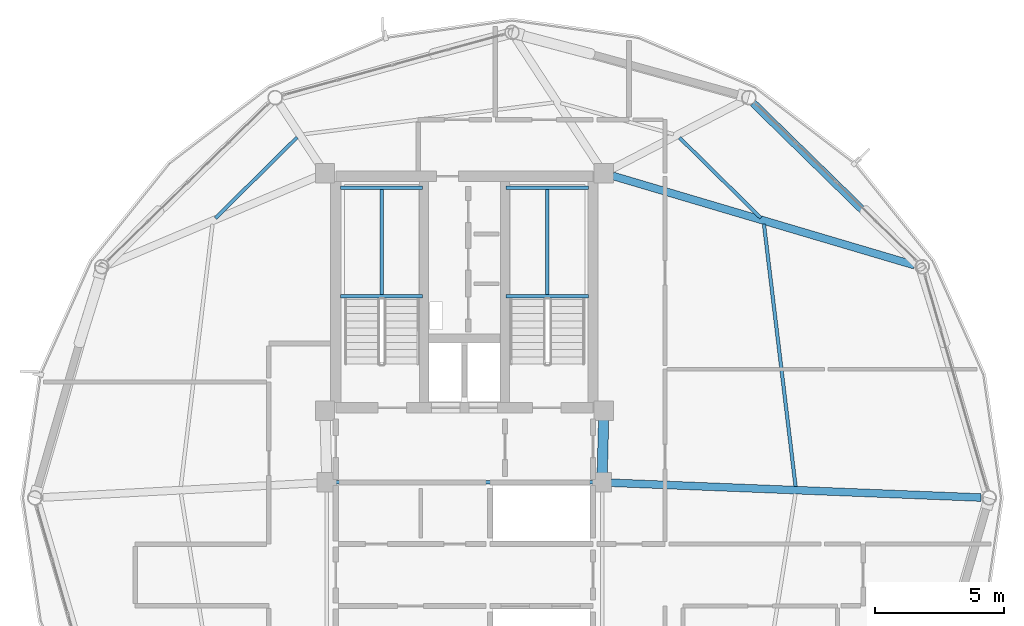
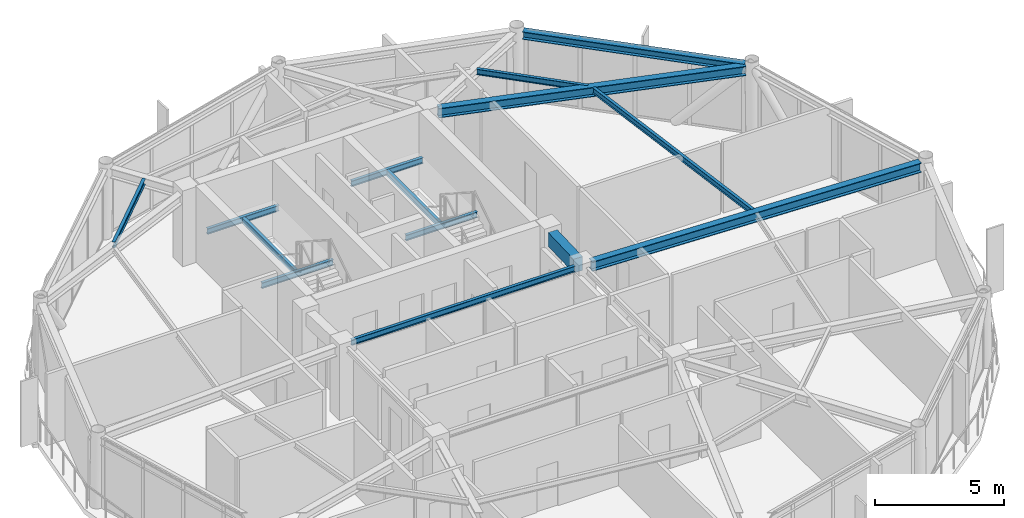
# One storey, part 14 of 27: 14 beams.
"""IFC4 building model written with IfcOpenShell, lengths in metres."""

from ifc_helpers import new_model, si_unit, direction, frame, origin, origin_2d, place, context, subcontext, project, spatial, rectangle, i_section, extrude, material, material_profile, profile_set, type_object, element, save


model = new_model("IFC4")

# Units and contexts
model_context = context("Model", 3, precision=1e-05, world=origin(), true_north=direction((0.0, 1.0)))
body_context = subcontext(model_context, "Body", "Model", "MODEL_VIEW")
ifc_project = project(units=[si_unit("LENGTHUNIT", "METRE"), si_unit("AREAUNIT", "SQUARE_METRE"), si_unit("VOLUMEUNIT", "CUBIC_METRE"), si_unit("PLANEANGLEUNIT", "RADIAN"), si_unit("MASSUNIT", "GRAM", prefix="KILO")], contexts=[model_context])

# Site, building, storey
site_placement = place(None, origin())
site = spatial("IfcSite", under=ifc_project, at=site_placement, CompositionType="ELEMENT")
building_placement = place(site_placement, origin())
building = spatial("IfcBuilding", under=site, at=building_placement, Name="Varnakorn Sky Granary", CompositionType="ELEMENT")
storey_placement = place(building_placement, frame((0.0, 0.0, 245.39990234375)))
storey = spatial("IfcBuildingStorey", under=building, at=storey_placement, Name="L62", CompositionType="ELEMENT", Elevation=245.39990234375)

# Beams
ifc_material_1 = material(Name="Concrete C50/60", Category="concrete")
ifc_material_profile_1 = material_profile(ifc_material_1, rectangle(XDim=0.39990234375, YDim=0.64990234375, at=origin_2d()), Name="RC 400x650")
ifc_profile_set_1 = profile_set([ifc_material_profile_1], Name="Concrete C50/60")
beam_type_1 = type_object("IfcBeamType", Name="BM-LIN-650", PredefinedType="LINTEL", material=ifc_profile_set_1)
beam_1_placement = place(storey_placement, frame((8.4111328125, 3.025146484375, 3.03515625), z_axis=(-0.025227817192, -0.999681727971, 0.0), x_axis=(0.999681727971, -0.025227817192, 0.0)))
element("IfcBeam", 1, at=beam_1_placement, inside=storey, type_object=beam_type_1, Name="Core Spine Framing Beam 2 L62", PredefinedType="LINTEL", context=body_context, shape_type="SweptSolid", body=[
    extrude(rectangle(XDim=0.39990234375, YDim=0.64990234375, at=origin_2d()), origin(), (0.0, 0.0, 1.0), 2.071044921875),
])
ifc_material_2 = material(Name="Steel S355JR", Category="steel")
ifc_material_profile_2 = material_profile(ifc_material_2, i_section(OverallWidth=0.135009765625, OverallDepth=0.27001953125, WebThickness=0.006591796875, FlangeThickness=0.01025390625, at=origin_2d()), Name="IPE 270")
ifc_profile_set_2 = profile_set([ifc_material_profile_2], Name="Steel S355JR")
beam_type_2 = type_object("IfcBeamType", Name="BM-LND-270", PredefinedType="BEAM", material=ifc_profile_set_2)
for number, where, z_axis, x_axis, name in (
    (2, (-1.820068359375, 7.840087890625, 1.465087890625), (1.0, 0.0, 0.0), (0.0, 1.0, 0.0), "Stair ST-1 Landing Trimmer Beam A L62-1"),
    (3, (-1.820068359375, 12.06005859375, 1.465087890625), (1.0, 0.0, 0.0), (0.0, 1.0, 0.0), "Stair ST-1 Landing Trimmer Beam B L62-1"),
):
    element("IfcBeam", number, at=place(storey_placement, frame(where, z_axis=z_axis, x_axis=x_axis)), inside=storey, type_object=beam_type_2, Name=name, PredefinedType="BEAM", context=body_context, shape_type="SweptSolid", body=[
        extrude(i_section(OverallWidth=0.135009765625, OverallDepth=0.27001953125, WebThickness=0.006591796875, FlangeThickness=0.01025390625, at=origin_2d()), origin(), (0.0, 0.0, 1.0), 3.199951171875),
    ])
beam_2_placement = place(storey_placement, frame((-0.219970703125, 7.840087890625, 1.465087890625), z_axis=(0.0, 1.0, 0.0), x_axis=(-1.0, 0.0, 0.0)))
element("IfcBeam", 4, at=beam_2_placement, inside=storey, type_object=beam_type_2, Name="Stair ST-1 Landing Cross Beam C L62-1", PredefinedType="BEAM", context=body_context, shape_type="SweptSolid", body=[
    extrude(i_section(OverallWidth=0.135009765625, OverallDepth=0.27001953125, WebThickness=0.006591796875, FlangeThickness=0.01025390625, at=origin_2d()), origin(), (0.0, 0.0, 1.0), 4.219970703125),
])
for number, where, z_axis, x_axis, name in (
    (5, (4.6201171875, 7.840087890625, 1.465087890625), (1.0, 0.0, 0.0), (0.0, 1.0, 0.0), "Stair ST-2 Landing Trimmer Beam A L62-1"),
    (6, (4.6201171875, 12.06005859375, 1.465087890625), (1.0, 0.0, 0.0), (0.0, 1.0, 0.0), "Stair ST-2 Landing Trimmer Beam B L62-1"),
):
    element("IfcBeam", number, at=place(storey_placement, frame(where, z_axis=z_axis, x_axis=x_axis)), inside=storey, type_object=beam_type_2, Name=name, PredefinedType="BEAM", context=body_context, shape_type="SweptSolid", body=[
        extrude(i_section(OverallWidth=0.135009765625, OverallDepth=0.27001953125, WebThickness=0.006591796875, FlangeThickness=0.01025390625, at=origin_2d()), origin(), (0.0, 0.0, 1.0), 3.199951171875),
    ])
beam_3_placement = place(storey_placement, frame((6.219970703125, 7.840087890625, 1.465087890625), z_axis=(0.0, 1.0, 0.0), x_axis=(-1.0, 0.0, 0.0)))
element("IfcBeam", 7, at=beam_3_placement, inside=storey, type_object=beam_type_2, Name="Stair ST-2 Landing Cross Beam C L62-1", PredefinedType="BEAM", context=body_context, shape_type="SweptSolid", body=[
    extrude(i_section(OverallWidth=0.135009765625, OverallDepth=0.27001953125, WebThickness=0.006591796875, FlangeThickness=0.01025390625, at=origin_2d()), origin(), (0.0, 0.0, 1.0), 4.219970703125),
])
ifc_material_profile_3 = material_profile(ifc_material_2, i_section(OverallWidth=0.300048828125, OverallDepth=0.449951171875, WebThickness=0.013916015625, FlangeThickness=0.02587890625, at=origin_2d()), Name="HE 450 B")
ifc_profile_set_3 = profile_set([ifc_material_profile_3], Name="Steel S355JR")
beam_type_3 = type_object("IfcBeamType", Name="BM-RAD-Z5", PredefinedType="BEAM", material=ifc_profile_set_3)
beam_4_placement = place(storey_placement, frame((8.70458984375, 0.585693359375, 3.135009765625), z_axis=(0.999200552072, -0.039978203289, 0.0), x_axis=(0.039978203289, 0.999200552072, 0.0)))
element("IfcBeam", 8, at=beam_4_placement, inside=storey, type_object=beam_type_3, Name="Radial Floor Girder RG01 L62", PredefinedType="BEAM", context=body_context, shape_type="SweptSolid", body=[
    extrude(i_section(OverallWidth=0.300048828125, OverallDepth=0.449951171875, WebThickness=0.013916015625, FlangeThickness=0.02587890625, at=origin_2d()), origin(), (0.0, 0.0, 1.0), 14.3876953125),
])
beam_5_placement = place(storey_placement, frame((8.760498046875, 12.519287109375, 3.135009765625), z_axis=(0.958848404118, -0.283918540996, 0.0), x_axis=(0.283918540996, 0.958848404118, 0.0)))
element("IfcBeam", 9, at=beam_5_placement, inside=storey, type_object=beam_type_3, Name="Radial Floor Girder RG02 L62", PredefinedType="BEAM", context=body_context, shape_type="SweptSolid", body=[
    extrude(i_section(OverallWidth=0.300048828125, OverallDepth=0.449951171875, WebThickness=0.013916015625, FlangeThickness=0.02587890625, at=origin_2d()), origin(), (0.0, 0.0, 1.0), 12.23974609375),
])
ifc_material_profile_4 = material_profile(ifc_material_2, i_section(OverallWidth=0.135009765625, OverallDepth=0.27001953125, WebThickness=0.006591796875, FlangeThickness=0.01025390625, at=origin_2d()), Name="IPE 270")
ifc_profile_set_4 = profile_set([ifc_material_profile_4], Name="Steel S355JR")
beam_type_4 = type_object("IfcBeamType", Name="BM-SEC-Z5", PredefinedType="BEAM", material=ifc_profile_set_4)
beam_6_placement = place(storey_placement, frame((15.8759765625, 0.437255859375, 3.22509765625), z_axis=(-0.119727731312, 0.992806763854, 0.0), x_axis=(-0.992806763854, -0.119727731312, 0.0)))
element("IfcBeam", 10, at=beam_6_placement, inside=storey, type_object=beam_type_4, Name="Secondary Floor Chord Beam MSB01 L62", PredefinedType="BEAM", context=body_context, shape_type="SweptSolid", body=[
    extrude(i_section(OverallWidth=0.135009765625, OverallDepth=0.27001953125, WebThickness=0.006591796875, FlangeThickness=0.01025390625, at=origin_2d()), origin(), (0.0, 0.0, 1.0), 10.279296875),
])
beam_7_placement = place(storey_placement, frame((14.52880859375, 10.8798828125, 3.22509765625), z_axis=(-0.712034174065, 0.702144810536, 0.0), x_axis=(-0.702144810536, -0.712034174065, 0.0)))
element("IfcBeam", 11, at=beam_7_placement, inside=storey, type_object=beam_type_4, Name="Secondary Floor Chord Beam MSB02 L62", PredefinedType="BEAM", context=body_context, shape_type="SweptSolid", body=[
    extrude(i_section(OverallWidth=0.135009765625, OverallDepth=0.27001953125, WebThickness=0.006591796875, FlangeThickness=0.01025390625, at=origin_2d()), origin(), (0.0, 0.0, 1.0), 4.443603515625),
])
beam_8_placement = place(storey_placement, frame((-3.49951171875, 14.016845703125, 3.22509765625), z_axis=(-0.711138264354, -0.703052180832, 0.0), x_axis=(0.703052180832, -0.711138264354, 0.0)))
element("IfcBeam", 12, at=beam_8_placement, inside=storey, type_object=beam_type_4, Name="Secondary Floor Chord Beam MSB05 L62", PredefinedType="BEAM", context=body_context, shape_type="SweptSolid", body=[
    extrude(i_section(OverallWidth=0.135009765625, OverallDepth=0.27001953125, WebThickness=0.006591796875, FlangeThickness=0.01025390625, at=origin_2d()), origin(), (0.0, 0.0, 1.0), 4.468505859375),
])
beam_9_placement = place(storey_placement, frame((-1.9951171875, 0.60009765625, 3.22509765625), z_axis=(1.0, 0.0, 0.0), x_axis=(0.0, 1.0, 0.0)))
element("IfcBeam", 13, at=beam_9_placement, inside=storey, type_object=beam_type_4, Name="Core Spine Framing Beam 5 L62", PredefinedType="BEAM", context=body_context, shape_type="SweptSolid", body=[
    extrude(i_section(OverallWidth=0.135009765625, OverallDepth=0.27001953125, WebThickness=0.006591796875, FlangeThickness=0.01025390625, at=origin_2d()), origin(), (0.0, 0.0, 1.0), 9.990234375),
])
ifc_material_profile_5 = material_profile(ifc_material_2, i_section(OverallWidth=0.300048828125, OverallDepth=0.360107421875, WebThickness=0.012451171875, FlangeThickness=0.0224609375, at=origin_2d()), Name="HE 360 B")
ifc_profile_set_5 = profile_set([ifc_material_profile_5], Name="Steel S355JR")
beam_type_5 = type_object("IfcBeamType", Name="BM-SPD-Z5", PredefinedType="SPANDREL", material=ifc_profile_set_5)
beam_10_placement = place(storey_placement, frame((20.56103515625, 9.15380859375, 3.18017578125), z_axis=(-0.715264777824, 0.698853559485, 0.0), x_axis=(-0.698853559485, -0.715264777824, 0.0)))
element("IfcBeam", 14, at=beam_10_placement, inside=storey, type_object=beam_type_5, Name="Perimeter Spandrel Ring Beam RB02 L62", PredefinedType="SPANDREL", context=body_context, shape_type="SweptSolid", body=[
    extrude(i_section(OverallWidth=0.300048828125, OverallDepth=0.360107421875, WebThickness=0.012451171875, FlangeThickness=0.0224609375, at=origin_2d()), origin(), (0.0, 0.0, 1.0), 8.866455078125),
])

save(model, "model.ifc")
